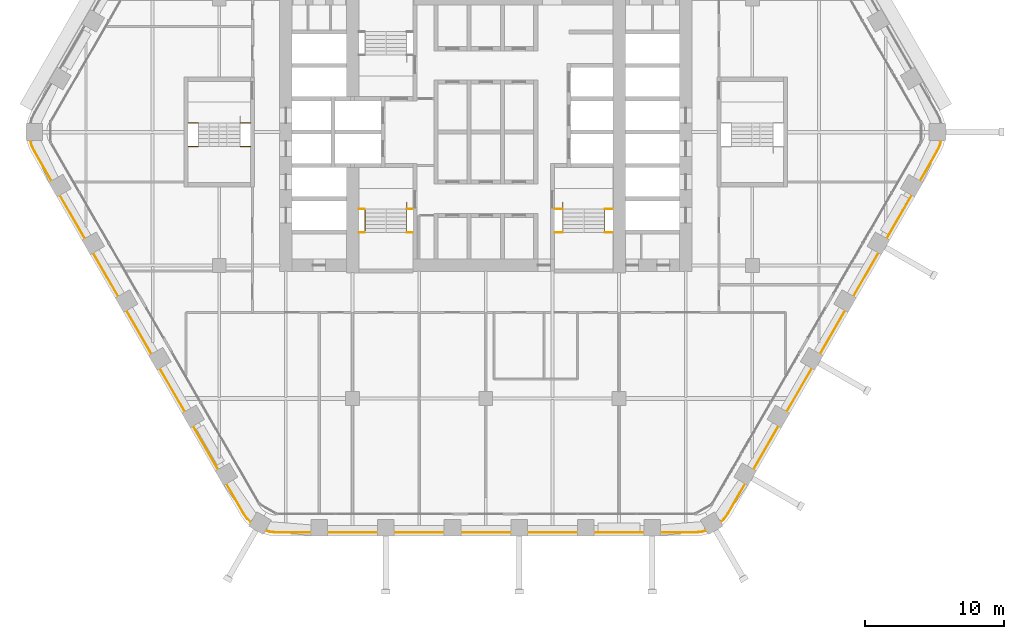
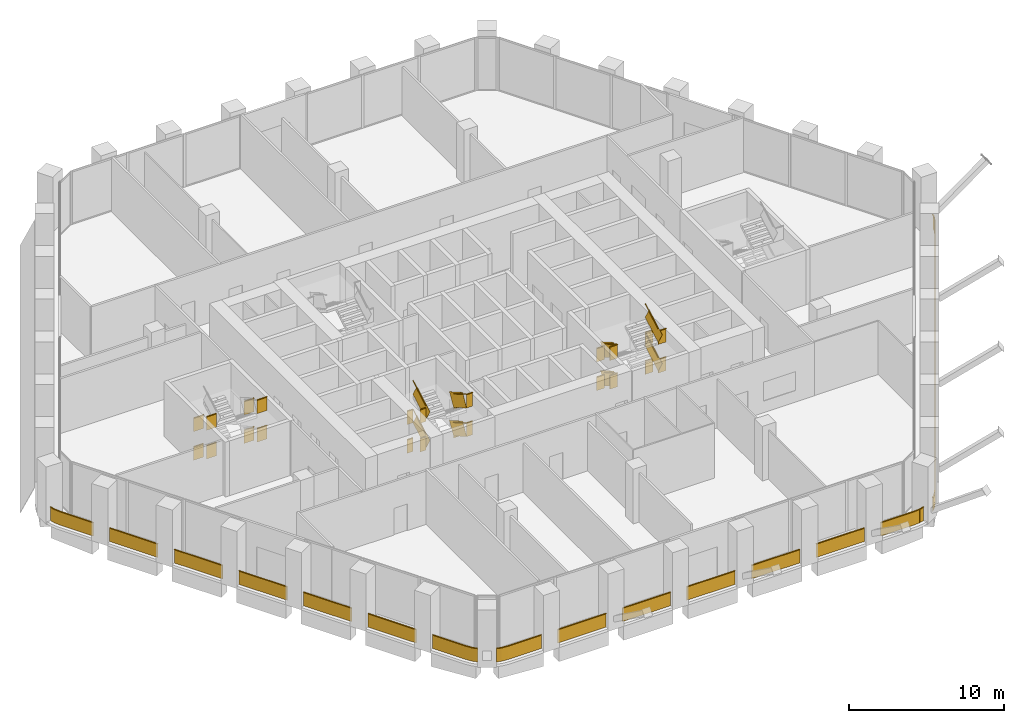
# One storey, part 23 of 24: 8 railings.
"""IFC4 building model written with IfcOpenShell, lengths in metres."""

from ifc_helpers import new_model, si_unit, direction, frame, frame_2d, origin, origin_2d, place, context, subcontext, project, spatial, rectangle, extrude, material, type_object, element, save


model = new_model("IFC4")

# Units and contexts
model_context = context("Model", 3, precision=1e-05, world=origin(), true_north=direction((0.0, 1.0)))
body_context = subcontext(model_context, "Body", "Model", "MODEL_VIEW")
ifc_project = project(units=[si_unit("LENGTHUNIT", "METRE"), si_unit("AREAUNIT", "SQUARE_METRE"), si_unit("VOLUMEUNIT", "CUBIC_METRE"), si_unit("PLANEANGLEUNIT", "RADIAN"), si_unit("MASSUNIT", "GRAM", prefix="KILO")], contexts=[model_context])

# Site, building, storey
site_placement = place(None, origin())
site = spatial("IfcSite", under=ifc_project, at=site_placement, CompositionType="ELEMENT")
building_placement = place(site_placement, origin())
building = spatial("IfcBuilding", under=site, at=building_placement, Name="Kolab Exchange Tower", CompositionType="ELEMENT")
storey_placement = place(building_placement, frame((0.0, 0.0, 86.89990234375)))
storey = spatial("IfcBuildingStorey", under=building, at=storey_placement, Name="L16", CompositionType="ELEMENT", Elevation=86.89990234375)

# Railings
ifc_material_1 = material(Name="Stainless steel 316", Category="steel")
railing_type_1 = type_object("IfcRailingType", Name="GUARD 1100", PredefinedType="GUARDRAIL", material=ifc_material_1)
railing_1_placement = place(storey_placement, frame((-9.14990234375, -5.550048828125, 0.0)))
element("IfcRailing", 1, at=railing_1_placement, inside=storey, type_object=railing_type_1, Name="Guard ST3", PredefinedType="GUARDRAIL", context=body_context, shape_type="SweptSolid", body=[
    extrude(rectangle(XDim=0.05, YDim=0.05, at=origin_2d()), frame((0.0, 0.0, 1.0751953125), z_axis=(1.0, 0.0, 0.0), x_axis=(0.0, 1.0, 0.0)), (0.0, 0.0, 1.0), 0.43994140625),
    extrude(rectangle(XDim=0.012, YDim=1.05009765625, at=frame_2d((0.0, 0.525146484375))), frame((0.0, 0.0, 0.0), z_axis=(1.0, 0.0, 0.0), x_axis=(0.0, 1.0, 0.0)), (0.0, 0.0, 1.0), 0.43994140625),
    extrude(rectangle(XDim=0.05, YDim=0.05, at=origin_2d()), frame((3.4599609375, 0.0, 1.0751953125), z_axis=(1.0, 0.0, 0.0), x_axis=(0.0, 1.0, 0.0)), (0.0, 0.0, 1.0), 0.43994140625),
    extrude(rectangle(XDim=0.012, YDim=1.05009765625, at=frame_2d((0.0, 0.525146484375))), frame((3.4599609375, 0.0, 0.0), z_axis=(1.0, 0.0, 0.0), x_axis=(0.0, 1.0, 0.0)), (0.0, 0.0, 1.0), 0.43994140625),
    extrude(rectangle(XDim=0.05, YDim=0.05, at=origin_2d()), frame((0.0, -1.679931640625, 2.2001953125), z_axis=(1.0, 0.0, 0.0), x_axis=(0.0, 1.0, 0.0)), (0.0, 0.0, 1.0), 0.43994140625),
    extrude(rectangle(XDim=0.012, YDim=1.05009765625, at=frame_2d((0.0, 0.525146484375))), frame((0.0, -1.679931640625, 1.125), z_axis=(1.0, 0.0, 0.0), x_axis=(0.0, 1.0, 0.0)), (0.0, 0.0, 1.0), 0.43994140625),
    extrude(rectangle(XDim=0.05, YDim=0.05, at=origin_2d()), frame((3.4599609375, -1.679931640625, 2.2001953125), z_axis=(1.0, 0.0, 0.0), x_axis=(0.0, 1.0, 0.0)), (0.0, 0.0, 1.0), 0.43994140625),
    extrude(rectangle(XDim=0.012, YDim=1.05009765625, at=frame_2d((0.0, 0.525146484375))), frame((3.4599609375, -1.679931640625, 1.125), z_axis=(1.0, 0.0, 0.0), x_axis=(0.0, 1.0, 0.0)), (0.0, 0.0, 1.0), 0.43994140625),
    extrude(rectangle(XDim=0.05, YDim=0.05, at=origin_2d()), frame((0.0, 0.0, 3.3251953125), z_axis=(1.0, 0.0, 0.0), x_axis=(0.0, 1.0, 0.0)), (0.0, 0.0, 1.0), 0.43994140625),
    extrude(rectangle(XDim=0.012, YDim=1.05009765625, at=frame_2d((0.0, 0.525146484375))), frame((0.0, 0.0, 2.25), z_axis=(1.0, 0.0, 0.0), x_axis=(0.0, 1.0, 0.0)), (0.0, 0.0, 1.0), 0.43994140625),
    extrude(rectangle(XDim=0.05, YDim=0.05, at=origin_2d()), frame((3.4599609375, 0.0, 3.3251953125), z_axis=(1.0, 0.0, 0.0), x_axis=(0.0, 1.0, 0.0)), (0.0, 0.0, 1.0), 0.43994140625),
    extrude(rectangle(XDim=0.012, YDim=1.05009765625, at=frame_2d((0.0, 0.525146484375))), frame((3.4599609375, 0.0, 2.25), z_axis=(1.0, 0.0, 0.0), x_axis=(0.0, 1.0, 0.0)), (0.0, 0.0, 1.0), 0.43994140625),
    extrude(rectangle(XDim=0.05, YDim=0.05, at=origin_2d()), frame((0.0, -1.679931640625, 4.4501953125), z_axis=(1.0, 0.0, 0.0), x_axis=(0.0, 1.0, 0.0)), (0.0, 0.0, 1.0), 0.43994140625),
    extrude(rectangle(XDim=0.012, YDim=1.05009765625, at=frame_2d((0.0, 0.525146484375))), frame((0.0, -1.679931640625, 3.375), z_axis=(1.0, 0.0, 0.0), x_axis=(0.0, 1.0, 0.0)), (0.0, 0.0, 1.0), 0.43994140625),
    extrude(rectangle(XDim=0.05, YDim=0.05, at=origin_2d()), frame((3.4599609375, -1.679931640625, 4.4501953125), z_axis=(1.0, 0.0, 0.0), x_axis=(0.0, 1.0, 0.0)), (0.0, 0.0, 1.0), 0.43994140625),
    extrude(rectangle(XDim=0.012, YDim=1.05009765625, at=frame_2d((0.0, 0.525146484375))), frame((3.4599609375, -1.679931640625, 3.375), z_axis=(1.0, 0.0, 0.0), x_axis=(0.0, 1.0, 0.0)), (0.0, 0.0, 1.0), 0.43994140625),
])
railing_2_placement = place(storey_placement, frame((-5.68994140625, -5.550048828125, 0.160888671875)))
element("IfcRailing", 2, at=railing_2_placement, inside=storey, type_object=railing_type_1, Name="Handrail guard ST3", PredefinedType="GUARDRAIL", context=body_context, shape_type="SweptSolid", body=[
    extrude(rectangle(XDim=0.05, YDim=0.05, at=origin_2d()), frame((0.0, 0.0, 1.0751953125), z_axis=(0.0, -0.867318599139, 0.497753400378), x_axis=(1.0, 0.0, 0.0)), (0.0, 0.0, 1.0), 1.93701171875),
    extrude(rectangle(XDim=0.012, YDim=1.05009765625, at=frame_2d((0.0, 0.525146484375))), frame((0.0, 0.0, 0.0), z_axis=(0.0, -0.867318599139, 0.497753400378), x_axis=(1.0, 0.0, 0.0)), (0.0, 0.0, 1.0), 1.93701171875),
    extrude(rectangle(XDim=0.05, YDim=0.05, at=origin_2d()), frame((-3.02001953125, -1.679931640625, 2.2001953125), z_axis=(0.0, 0.867318599139, 0.497753400378), x_axis=(-1.0, 0.0, 0.0)), (0.0, 0.0, 1.0), 1.93701171875),
    extrude(rectangle(XDim=0.012, YDim=1.05009765625, at=frame_2d((0.0, 0.525146484375))), frame((-3.02001953125, -1.679931640625, 1.125), z_axis=(0.0, 0.867318599139, 0.497753400378), x_axis=(-1.0, 0.0, 0.0)), (0.0, 0.0, 1.0), 1.93701171875),
    extrude(rectangle(XDim=0.05, YDim=0.05, at=origin_2d()), frame((0.0, 0.0, 3.3251953125), z_axis=(0.0, -0.867318599139, 0.497753400378), x_axis=(1.0, 0.0, 0.0)), (0.0, 0.0, 1.0), 1.93701171875),
    extrude(rectangle(XDim=0.012, YDim=1.05009765625, at=frame_2d((0.0, 0.525146484375))), frame((0.0, 0.0, 2.25), z_axis=(0.0, -0.867318599139, 0.497753400378), x_axis=(1.0, 0.0, 0.0)), (0.0, 0.0, 1.0), 1.93701171875),
    extrude(rectangle(XDim=0.05, YDim=0.05, at=origin_2d()), frame((-3.02001953125, -1.679931640625, 4.4501953125), z_axis=(0.0, 0.867318599139, 0.497753400378), x_axis=(-1.0, 0.0, 0.0)), (0.0, 0.0, 1.0), 1.93701171875),
    extrude(rectangle(XDim=0.012, YDim=1.05009765625, at=frame_2d((0.0, 0.525146484375))), frame((-3.02001953125, -1.679931640625, 3.375), z_axis=(0.0, 0.867318599139, 0.497753400378), x_axis=(-1.0, 0.0, 0.0)), (0.0, 0.0, 1.0), 1.93701171875),
])
railing_3_placement = place(storey_placement, frame((4.949951171875, -5.550048828125, 0.0)))
element("IfcRailing", 3, at=railing_3_placement, inside=storey, type_object=railing_type_1, Name="Guard ST2", PredefinedType="GUARDRAIL", context=body_context, shape_type="SweptSolid", body=[
    extrude(rectangle(XDim=0.05, YDim=0.05, at=origin_2d()), frame((0.0, 0.0, 1.0751953125), z_axis=(1.0, 0.0, 0.0), x_axis=(0.0, 1.0, 0.0)), (0.0, 0.0, 1.0), 0.590087890625),
    extrude(rectangle(XDim=0.012, YDim=1.05009765625, at=frame_2d((0.0, 0.525146484375))), frame((0.0, 0.0, 0.0), z_axis=(1.0, 0.0, 0.0), x_axis=(0.0, 1.0, 0.0)), (0.0, 0.0, 1.0), 0.590087890625),
    extrude(rectangle(XDim=0.05, YDim=0.05, at=origin_2d()), frame((3.610107421875, 0.0, 1.0751953125), z_axis=(1.0, 0.0, 0.0), x_axis=(0.0, 1.0, 0.0)), (0.0, 0.0, 1.0), 0.58984375),
    extrude(rectangle(XDim=0.012, YDim=1.05009765625, at=frame_2d((0.0, 0.525146484375))), frame((3.610107421875, 0.0, 0.0), z_axis=(1.0, 0.0, 0.0), x_axis=(0.0, 1.0, 0.0)), (0.0, 0.0, 1.0), 0.58984375),
    extrude(rectangle(XDim=0.05, YDim=0.05, at=origin_2d()), frame((0.0, -1.679931640625, 2.2001953125), z_axis=(1.0, 0.0, 0.0), x_axis=(0.0, 1.0, 0.0)), (0.0, 0.0, 1.0), 0.590087890625),
    extrude(rectangle(XDim=0.012, YDim=1.05009765625, at=frame_2d((0.0, 0.525146484375))), frame((0.0, -1.679931640625, 1.125), z_axis=(1.0, 0.0, 0.0), x_axis=(0.0, 1.0, 0.0)), (0.0, 0.0, 1.0), 0.590087890625),
    extrude(rectangle(XDim=0.05, YDim=0.05, at=origin_2d()), frame((3.610107421875, -1.679931640625, 2.2001953125), z_axis=(1.0, 0.0, 0.0), x_axis=(0.0, 1.0, 0.0)), (0.0, 0.0, 1.0), 0.58984375),
    extrude(rectangle(XDim=0.012, YDim=1.05009765625, at=frame_2d((0.0, 0.525146484375))), frame((3.610107421875, -1.679931640625, 1.125), z_axis=(1.0, 0.0, 0.0), x_axis=(0.0, 1.0, 0.0)), (0.0, 0.0, 1.0), 0.58984375),
    extrude(rectangle(XDim=0.05, YDim=0.05, at=origin_2d()), frame((0.0, 0.0, 3.3251953125), z_axis=(1.0, 0.0, 0.0), x_axis=(0.0, 1.0, 0.0)), (0.0, 0.0, 1.0), 0.590087890625),
    extrude(rectangle(XDim=0.012, YDim=1.05009765625, at=frame_2d((0.0, 0.525146484375))), frame((0.0, 0.0, 2.25), z_axis=(1.0, 0.0, 0.0), x_axis=(0.0, 1.0, 0.0)), (0.0, 0.0, 1.0), 0.590087890625),
    extrude(rectangle(XDim=0.05, YDim=0.05, at=origin_2d()), frame((3.610107421875, 0.0, 3.3251953125), z_axis=(1.0, 0.0, 0.0), x_axis=(0.0, 1.0, 0.0)), (0.0, 0.0, 1.0), 0.58984375),
    extrude(rectangle(XDim=0.012, YDim=1.05009765625, at=frame_2d((0.0, 0.525146484375))), frame((3.610107421875, 0.0, 2.25), z_axis=(1.0, 0.0, 0.0), x_axis=(0.0, 1.0, 0.0)), (0.0, 0.0, 1.0), 0.58984375),
    extrude(rectangle(XDim=0.05, YDim=0.05, at=origin_2d()), frame((0.0, -1.679931640625, 4.4501953125), z_axis=(1.0, 0.0, 0.0), x_axis=(0.0, 1.0, 0.0)), (0.0, 0.0, 1.0), 0.590087890625),
    extrude(rectangle(XDim=0.012, YDim=1.05009765625, at=frame_2d((0.0, 0.525146484375))), frame((0.0, -1.679931640625, 3.375), z_axis=(1.0, 0.0, 0.0), x_axis=(0.0, 1.0, 0.0)), (0.0, 0.0, 1.0), 0.590087890625),
    extrude(rectangle(XDim=0.05, YDim=0.05, at=origin_2d()), frame((3.610107421875, -1.679931640625, 4.4501953125), z_axis=(1.0, 0.0, 0.0), x_axis=(0.0, 1.0, 0.0)), (0.0, 0.0, 1.0), 0.58984375),
    extrude(rectangle(XDim=0.012, YDim=1.05009765625, at=frame_2d((0.0, 0.525146484375))), frame((3.610107421875, -1.679931640625, 3.375), z_axis=(1.0, 0.0, 0.0), x_axis=(0.0, 1.0, 0.0)), (0.0, 0.0, 1.0), 0.58984375),
])
railing_4_placement = place(storey_placement, frame((5.5400390625, -5.550048828125, 0.160888671875)))
element("IfcRailing", 4, at=railing_4_placement, inside=storey, type_object=railing_type_1, Name="Handrail guard ST2", PredefinedType="GUARDRAIL", context=body_context, shape_type="SweptSolid", body=[
    extrude(rectangle(XDim=0.05, YDim=0.05, at=origin_2d()), frame((0.0, 0.0, 1.0751953125), z_axis=(0.0, -0.867318599139, 0.497753400378), x_axis=(1.0, 0.0, 0.0)), (0.0, 0.0, 1.0), 1.93701171875),
    extrude(rectangle(XDim=0.012, YDim=1.05009765625, at=frame_2d((0.0, 0.525146484375))), frame((0.0, 0.0, 0.0), z_axis=(0.0, -0.867318599139, 0.497753400378), x_axis=(1.0, 0.0, 0.0)), (0.0, 0.0, 1.0), 1.93701171875),
    extrude(rectangle(XDim=0.05, YDim=0.05, at=origin_2d()), frame((3.02001953125, -1.679931640625, 2.2001953125), z_axis=(0.0, 0.867318599139, 0.497753400378), x_axis=(-1.0, 0.0, 0.0)), (0.0, 0.0, 1.0), 1.93701171875),
    extrude(rectangle(XDim=0.012, YDim=1.05009765625, at=frame_2d((0.0, 0.525146484375))), frame((3.02001953125, -1.679931640625, 1.125), z_axis=(0.0, 0.867318599139, 0.497753400378), x_axis=(-1.0, 0.0, 0.0)), (0.0, 0.0, 1.0), 1.93701171875),
    extrude(rectangle(XDim=0.05, YDim=0.05, at=origin_2d()), frame((0.0, 0.0, 3.3251953125), z_axis=(0.0, -0.867318599139, 0.497753400378), x_axis=(1.0, 0.0, 0.0)), (0.0, 0.0, 1.0), 1.93701171875),
    extrude(rectangle(XDim=0.012, YDim=1.05009765625, at=frame_2d((0.0, 0.525146484375))), frame((0.0, 0.0, 2.25), z_axis=(0.0, -0.867318599139, 0.497753400378), x_axis=(1.0, 0.0, 0.0)), (0.0, 0.0, 1.0), 1.93701171875),
    extrude(rectangle(XDim=0.05, YDim=0.05, at=origin_2d()), frame((3.02001953125, -1.679931640625, 4.4501953125), z_axis=(0.0, 0.867318599139, 0.497753400378), x_axis=(-1.0, 0.0, 0.0)), (0.0, 0.0, 1.0), 1.93701171875),
    extrude(rectangle(XDim=0.012, YDim=1.05009765625, at=frame_2d((0.0, 0.525146484375))), frame((3.02001953125, -1.679931640625, 3.375), z_axis=(0.0, 0.867318599139, 0.497753400378), x_axis=(-1.0, 0.0, 0.0)), (0.0, 0.0, 1.0), 1.93701171875),
])
railing_5_placement = place(storey_placement, frame((-21.449951171875, 0.64990234375, 0.0)))
element("IfcRailing", 5, at=railing_5_placement, inside=storey, type_object=railing_type_1, Name="Guard ST5", PredefinedType="GUARDRAIL", context=body_context, shape_type="SweptSolid", body=[
    extrude(rectangle(XDim=0.05, YDim=0.05, at=origin_2d()), frame((0.0, 0.0, 1.0751953125), z_axis=(1.0, 0.0, 0.0), x_axis=(0.0, 1.0, 0.0)), (0.0, 0.0, 1.0), 0.739990234375),
    extrude(rectangle(XDim=0.012, YDim=1.05009765625, at=frame_2d((0.0, 0.525146484375))), frame((0.0, 0.0, 0.0), z_axis=(1.0, 0.0, 0.0), x_axis=(0.0, 1.0, 0.0)), (0.0, 0.0, 1.0), 0.739990234375),
    extrude(rectangle(XDim=0.05, YDim=0.05, at=origin_2d()), frame((3.760009765625, 0.0, 1.0751953125), z_axis=(1.0, 0.0, 0.0), x_axis=(0.0, 1.0, 0.0)), (0.0, 0.0, 1.0), 0.739990234375),
    extrude(rectangle(XDim=0.012, YDim=1.05009765625, at=frame_2d((0.0, 0.525146484375))), frame((3.760009765625, 0.0, 0.0), z_axis=(1.0, 0.0, 0.0), x_axis=(0.0, 1.0, 0.0)), (0.0, 0.0, 1.0), 0.739990234375),
    extrude(rectangle(XDim=0.05, YDim=0.05, at=origin_2d()), frame((0.0, -1.679931640625, 2.2001953125), z_axis=(1.0, 0.0, 0.0), x_axis=(0.0, 1.0, 0.0)), (0.0, 0.0, 1.0), 0.739990234375),
    extrude(rectangle(XDim=0.012, YDim=1.05009765625, at=frame_2d((0.0, 0.525146484375))), frame((0.0, -1.679931640625, 1.125), z_axis=(1.0, 0.0, 0.0), x_axis=(0.0, 1.0, 0.0)), (0.0, 0.0, 1.0), 0.739990234375),
    extrude(rectangle(XDim=0.05, YDim=0.05, at=origin_2d()), frame((3.760009765625, -1.679931640625, 2.2001953125), z_axis=(1.0, 0.0, 0.0), x_axis=(0.0, 1.0, 0.0)), (0.0, 0.0, 1.0), 0.739990234375),
    extrude(rectangle(XDim=0.012, YDim=1.05009765625, at=frame_2d((0.0, 0.525146484375))), frame((3.760009765625, -1.679931640625, 1.125), z_axis=(1.0, 0.0, 0.0), x_axis=(0.0, 1.0, 0.0)), (0.0, 0.0, 1.0), 0.739990234375),
    extrude(rectangle(XDim=0.05, YDim=0.05, at=origin_2d()), frame((0.0, 0.0, 3.3251953125), z_axis=(1.0, 0.0, 0.0), x_axis=(0.0, 1.0, 0.0)), (0.0, 0.0, 1.0), 0.739990234375),
    extrude(rectangle(XDim=0.012, YDim=1.05009765625, at=frame_2d((0.0, 0.525146484375))), frame((0.0, 0.0, 2.25), z_axis=(1.0, 0.0, 0.0), x_axis=(0.0, 1.0, 0.0)), (0.0, 0.0, 1.0), 0.739990234375),
    extrude(rectangle(XDim=0.05, YDim=0.05, at=origin_2d()), frame((3.760009765625, 0.0, 3.3251953125), z_axis=(1.0, 0.0, 0.0), x_axis=(0.0, 1.0, 0.0)), (0.0, 0.0, 1.0), 0.739990234375),
    extrude(rectangle(XDim=0.012, YDim=1.05009765625, at=frame_2d((0.0, 0.525146484375))), frame((3.760009765625, 0.0, 2.25), z_axis=(1.0, 0.0, 0.0), x_axis=(0.0, 1.0, 0.0)), (0.0, 0.0, 1.0), 0.739990234375),
    extrude(rectangle(XDim=0.05, YDim=0.05, at=origin_2d()), frame((0.0, -1.679931640625, 4.4501953125), z_axis=(1.0, 0.0, 0.0), x_axis=(0.0, 1.0, 0.0)), (0.0, 0.0, 1.0), 0.739990234375),
    extrude(rectangle(XDim=0.012, YDim=1.05009765625, at=frame_2d((0.0, 0.525146484375))), frame((0.0, -1.679931640625, 3.375), z_axis=(1.0, 0.0, 0.0), x_axis=(0.0, 1.0, 0.0)), (0.0, 0.0, 1.0), 0.739990234375),
    extrude(rectangle(XDim=0.05, YDim=0.05, at=origin_2d()), frame((3.760009765625, -1.679931640625, 4.4501953125), z_axis=(1.0, 0.0, 0.0), x_axis=(0.0, 1.0, 0.0)), (0.0, 0.0, 1.0), 0.739990234375),
    extrude(rectangle(XDim=0.012, YDim=1.05009765625, at=frame_2d((0.0, 0.525146484375))), frame((3.760009765625, -1.679931640625, 3.375), z_axis=(1.0, 0.0, 0.0), x_axis=(0.0, 1.0, 0.0)), (0.0, 0.0, 1.0), 0.739990234375),
])
ifc_material_2 = material(Name="Steel S235", Category="steel")
railing_type_2 = type_object("IfcRailingType", Name="GUARD 1100 GLASS BALUSTRADE AND STEEL TOP RAIL", PredefinedType="GUARDRAIL", material=ifc_material_2)
railing_6_placement = place(storey_placement, frame((16.9208984375, -28.119873046875, 0.0)))
element("IfcRailing", 6, at=railing_6_placement, inside=storey, type_object=railing_type_2, Name="Guard", PredefinedType="GUARDRAIL", context=body_context, shape_type="SweptSolid", body=[
    extrude(rectangle(XDim=0.05, YDim=0.05, at=origin_2d()), frame((0.0, 0.0, 1.0751953125), z_axis=(0.707106781187, 0.707106781187, 0.0), x_axis=(-0.707106781187, 0.707106781187, 0.0)), (0.0, 0.0, 1.0), 0.358642578125),
    extrude(rectangle(XDim=0.012, YDim=1.05009765625, at=frame_2d((0.0, 0.525146484375))), frame((0.0, 0.0, 0.0), z_axis=(0.707106781187, 0.707106781187, 0.0), x_axis=(-0.707106781187, 0.707106781187, 0.0)), (0.0, 0.0, 1.0), 0.358642578125),
    extrude(rectangle(XDim=0.05, YDim=0.05, at=origin_2d()), frame((0.253662109375, 0.253662109375, 1.0751953125), z_axis=(0.573359816273, 0.819303680624, 0.0), x_axis=(-0.819303680624, 0.573359816273, 0.0)), (0.0, 0.0, 1.0), 0.4794921875),
    extrude(rectangle(XDim=0.012, YDim=1.05009765625, at=frame_2d((0.0, 0.525146484375))), frame((0.253662109375, 0.253662109375, 0.0), z_axis=(0.573359816273, 0.819303680624, 0.0), x_axis=(-0.819303680624, 0.573359816273, 0.0)), (0.0, 0.0, 1.0), 0.4794921875),
    extrude(rectangle(XDim=0.05, YDim=0.05, at=origin_2d()), frame((0.528564453125, 0.646484375, 1.0751953125), z_axis=(0.500064973171, 0.865987888257, 0.0), x_axis=(-0.865987888257, 0.500064973171, 0.0)), (0.0, 0.0, 1.0), 2.468017578125),
    extrude(rectangle(XDim=0.012, YDim=1.05009765625, at=frame_2d((0.0, 0.525146484375))), frame((0.528564453125, 0.646484375, 0.0), z_axis=(0.500064973171, 0.865987888257, 0.0), x_axis=(-0.865987888257, 0.500064973171, 0.0)), (0.0, 0.0, 1.0), 2.468017578125),
    extrude(rectangle(XDim=0.05, YDim=0.05, at=origin_2d()), frame((2.362548828125, 3.822998046875, 1.0751953125), z_axis=(0.500012057535, 0.866018442252, 0.0), x_axis=(-0.866018442252, 0.500012057535, 0.0)), (0.0, 0.0, 1.0), 3.60009765625),
    extrude(rectangle(XDim=0.012, YDim=1.05009765625, at=frame_2d((0.0, 0.525146484375))), frame((2.362548828125, 3.822998046875, 0.0), z_axis=(0.500012057535, 0.866018442252, 0.0), x_axis=(-0.866018442252, 0.500012057535, 0.0)), (0.0, 0.0, 1.0), 3.60009765625),
    extrude(rectangle(XDim=0.05, YDim=0.05, at=origin_2d()), frame((4.7626953125, 7.97998046875, 1.0751953125), z_axis=(0.499961193289, 0.866047807691, 0.0), x_axis=(-0.866047807691, 0.499961193289, 0.0)), (0.0, 0.0, 1.0), 3.599853515625),
    extrude(rectangle(XDim=0.012, YDim=1.05009765625, at=frame_2d((0.0, 0.525146484375))), frame((4.7626953125, 7.97998046875, 0.0), z_axis=(0.499961193289, 0.866047807691, 0.0), x_axis=(-0.866047807691, 0.499961193289, 0.0)), (0.0, 0.0, 1.0), 3.599853515625),
    extrude(rectangle(XDim=0.05, YDim=0.05, at=origin_2d()), frame((7.16259765625, 12.13671875, 1.0751953125), z_axis=(0.500012057535, 0.866018442252, 0.0), x_axis=(-0.866018442252, 0.500012057535, 0.0)), (0.0, 0.0, 1.0), 3.60009765625),
    extrude(rectangle(XDim=0.012, YDim=1.05009765625, at=frame_2d((0.0, 0.525146484375))), frame((7.16259765625, 12.13671875, 0.0), z_axis=(0.500012057535, 0.866018442252, 0.0), x_axis=(-0.866018442252, 0.500012057535, 0.0)), (0.0, 0.0, 1.0), 3.60009765625),
    extrude(rectangle(XDim=0.05, YDim=0.05, at=origin_2d()), frame((9.5625, 16.293701171875, 1.0751953125), z_axis=(0.500012057535, 0.866018442252, 0.0), x_axis=(-0.866018442252, 0.500012057535, 0.0)), (0.0, 0.0, 1.0), 3.60009765625),
    extrude(rectangle(XDim=0.012, YDim=1.05009765625, at=frame_2d((0.0, 0.525146484375))), frame((9.5625, 16.293701171875, 0.0), z_axis=(0.500012057535, 0.866018442252, 0.0), x_axis=(-0.866018442252, 0.500012057535, 0.0)), (0.0, 0.0, 1.0), 3.60009765625),
    extrude(rectangle(XDim=0.05, YDim=0.05, at=origin_2d()), frame((11.962646484375, 20.45068359375, 1.0751953125), z_axis=(0.500012057535, 0.866018442252, 0.0), x_axis=(-0.866018442252, 0.500012057535, 0.0)), (0.0, 0.0, 1.0), 3.60009765625),
    extrude(rectangle(XDim=0.012, YDim=1.05009765625, at=frame_2d((0.0, 0.525146484375))), frame((11.962646484375, 20.45068359375, 0.0), z_axis=(0.500012057535, 0.866018442252, 0.0), x_axis=(-0.866018442252, 0.500012057535, 0.0)), (0.0, 0.0, 1.0), 3.60009765625),
    extrude(rectangle(XDim=0.05, YDim=0.05, at=origin_2d()), frame((14.362548828125, 24.607666015625, 1.0751953125), z_axis=(0.500064973171, 0.865987888257, 0.0), x_axis=(-0.865987888257, 0.500064973171, 0.0)), (0.0, 0.0, 1.0), 2.468017578125),
    extrude(rectangle(XDim=0.012, YDim=1.05009765625, at=frame_2d((0.0, 0.525146484375))), frame((14.362548828125, 24.607666015625, 0.0), z_axis=(0.500064973171, 0.865987888257, 0.0), x_axis=(-0.865987888257, 0.500064973171, 0.0)), (0.0, 0.0, 1.0), 2.468017578125),
    extrude(rectangle(XDim=0.05, YDim=0.05, at=origin_2d()), frame((15.5966796875, 26.744873046875, 1.0751953125), z_axis=(0.422383329074, 0.906417300872, 0.0), x_axis=(-0.906417300872, 0.422383329074, 0.0)), (0.0, 0.0, 1.0), 0.479248046875),
    extrude(rectangle(XDim=0.012, YDim=1.05009765625, at=frame_2d((0.0, 0.525146484375))), frame((15.5966796875, 26.744873046875, 0.0), z_axis=(0.422383329074, 0.906417300872, 0.0), x_axis=(-0.906417300872, 0.422383329074, 0.0)), (0.0, 0.0, 1.0), 0.479248046875),
    extrude(rectangle(XDim=0.05, YDim=0.05, at=origin_2d()), frame((15.799072265625, 27.17919921875, 1.0751953125), z_axis=(0.259144041577, 0.965838685141, 0.0), x_axis=(-0.965838685141, 0.259144041577, 0.0)), (0.0, 0.0, 1.0), 0.35888671875),
    extrude(rectangle(XDim=0.012, YDim=1.05009765625, at=frame_2d((0.0, 0.525146484375))), frame((15.799072265625, 27.17919921875, 0.0), z_axis=(0.259144041577, 0.965838685141, 0.0), x_axis=(-0.965838685141, 0.259144041577, 0.0)), (0.0, 0.0, 1.0), 0.35888671875),
])
railing_7_placement = place(storey_placement, frame((-15.89208984375, -28.7138671875, 0.0)))
element("IfcRailing", 7, at=railing_7_placement, inside=storey, type_object=railing_type_2, Name="Guard", PredefinedType="GUARDRAIL", context=body_context, shape_type="SweptSolid", body=[
    extrude(rectangle(XDim=0.05, YDim=0.05, at=origin_2d()), frame((0.0, 0.0, 1.0751953125), z_axis=(0.966008746817, -0.258509382951, 0.0), x_axis=(0.258509382951, 0.966008746817, 0.0)), (0.0, 0.0, 1.0), 0.35888671875),
    extrude(rectangle(XDim=0.012, YDim=1.05009765625, at=frame_2d((0.0, 0.525146484375))), frame((0.0, 0.0, 0.0), z_axis=(0.966008746817, -0.258509382951, 0.0), x_axis=(0.258509382951, 0.966008746817, 0.0)), (0.0, 0.0, 1.0), 0.35888671875),
    extrude(rectangle(XDim=0.05, YDim=0.05, at=origin_2d()), frame((0.3466796875, -0.0927734375, 1.0751953125), z_axis=(0.996200348447, -0.087091134757, 0.0), x_axis=(0.087091134757, 0.996200348447, 0.0)), (0.0, 0.0, 1.0), 0.479248046875),
    extrude(rectangle(XDim=0.012, YDim=1.05009765625, at=frame_2d((0.0, 0.525146484375))), frame((0.3466796875, -0.0927734375, 0.0), z_axis=(0.996200348447, -0.087091134757, 0.0), x_axis=(0.087091134757, 0.996200348447, 0.0)), (0.0, 0.0, 1.0), 0.479248046875),
    extrude(rectangle(XDim=0.05, YDim=0.05, at=origin_2d()), frame((0.82421875, -0.134521484375, 1.0751953125), z_axis=(1.0, 0.0, 0.0), x_axis=(0.0, 1.0, 0.0)), (0.0, 0.0, 1.0), 2.4677734375),
    extrude(rectangle(XDim=0.012, YDim=1.05009765625, at=frame_2d((0.0, 0.525146484375))), frame((0.82421875, -0.134521484375, 0.0), z_axis=(1.0, 0.0, 0.0), x_axis=(0.0, 1.0, 0.0)), (0.0, 0.0, 1.0), 2.4677734375),
    extrude(rectangle(XDim=0.05, YDim=0.05, at=origin_2d()), frame((4.4921875, -0.134521484375, 1.0751953125), z_axis=(1.0, 0.0, 0.0), x_axis=(0.0, 1.0, 0.0)), (0.0, 0.0, 1.0), 3.599853515625),
    extrude(rectangle(XDim=0.012, YDim=1.05009765625, at=frame_2d((0.0, 0.525146484375))), frame((4.4921875, -0.134521484375, 0.0), z_axis=(1.0, 0.0, 0.0), x_axis=(0.0, 1.0, 0.0)), (0.0, 0.0, 1.0), 3.599853515625),
    extrude(rectangle(XDim=0.05, YDim=0.05, at=origin_2d()), frame((9.2919921875, -0.134521484375, 1.0751953125), z_axis=(1.0, 0.0, 0.0), x_axis=(0.0, 1.0, 0.0)), (0.0, 0.0, 1.0), 3.60009765625),
    extrude(rectangle(XDim=0.012, YDim=1.05009765625, at=frame_2d((0.0, 0.525146484375))), frame((9.2919921875, -0.134521484375, 0.0), z_axis=(1.0, 0.0, 0.0), x_axis=(0.0, 1.0, 0.0)), (0.0, 0.0, 1.0), 3.60009765625),
    extrude(rectangle(XDim=0.05, YDim=0.05, at=origin_2d()), frame((14.092041015625, -0.134521484375, 1.0751953125), z_axis=(1.0, 0.0, 0.0), x_axis=(0.0, 1.0, 0.0)), (0.0, 0.0, 1.0), 3.60009765625),
    extrude(rectangle(XDim=0.012, YDim=1.05009765625, at=frame_2d((0.0, 0.525146484375))), frame((14.092041015625, -0.134521484375, 0.0), z_axis=(1.0, 0.0, 0.0), x_axis=(0.0, 1.0, 0.0)), (0.0, 0.0, 1.0), 3.60009765625),
    extrude(rectangle(XDim=0.05, YDim=0.05, at=origin_2d()), frame((18.89208984375, -0.134521484375, 1.0751953125), z_axis=(1.0, 0.0, 0.0), x_axis=(0.0, 1.0, 0.0)), (0.0, 0.0, 1.0), 3.60009765625),
    extrude(rectangle(XDim=0.012, YDim=1.05009765625, at=frame_2d((0.0, 0.525146484375))), frame((18.89208984375, -0.134521484375, 0.0), z_axis=(1.0, 0.0, 0.0), x_axis=(0.0, 1.0, 0.0)), (0.0, 0.0, 1.0), 3.60009765625),
    extrude(rectangle(XDim=0.05, YDim=0.05, at=origin_2d()), frame((23.692138671875, -0.134521484375, 1.0751953125), z_axis=(1.0, 0.0, 0.0), x_axis=(0.0, 1.0, 0.0)), (0.0, 0.0, 1.0), 3.599853515625),
    extrude(rectangle(XDim=0.012, YDim=1.05009765625, at=frame_2d((0.0, 0.525146484375))), frame((23.692138671875, -0.134521484375, 0.0), z_axis=(1.0, 0.0, 0.0), x_axis=(0.0, 1.0, 0.0)), (0.0, 0.0, 1.0), 3.599853515625),
    extrude(rectangle(XDim=0.05, YDim=0.05, at=origin_2d()), frame((28.4921875, -0.134521484375, 1.0751953125), z_axis=(1.0, 0.0, 0.0), x_axis=(0.0, 1.0, 0.0)), (0.0, 0.0, 1.0), 2.4677734375),
    extrude(rectangle(XDim=0.012, YDim=1.05009765625, at=frame_2d((0.0, 0.525146484375))), frame((28.4921875, -0.134521484375, 0.0), z_axis=(1.0, 0.0, 0.0), x_axis=(0.0, 1.0, 0.0)), (0.0, 0.0, 1.0), 2.4677734375),
    extrude(rectangle(XDim=0.05, YDim=0.05, at=origin_2d()), frame((30.9599609375, -0.134521484375, 1.0751953125), z_axis=(0.996200348447, 0.087091134757, 0.0), x_axis=(-0.087091134757, 0.996200348447, 0.0)), (0.0, 0.0, 1.0), 0.479248046875),
    extrude(rectangle(XDim=0.012, YDim=1.05009765625, at=frame_2d((0.0, 0.525146484375))), frame((30.9599609375, -0.134521484375, 0.0), z_axis=(0.996200348447, 0.087091134757, 0.0), x_axis=(-0.087091134757, 0.996200348447, 0.0)), (0.0, 0.0, 1.0), 0.479248046875),
    extrude(rectangle(XDim=0.05, YDim=0.05, at=origin_2d()), frame((31.4375, -0.0927734375, 1.0751953125), z_axis=(0.966008746817, 0.258509382951, 0.0), x_axis=(-0.258509382951, 0.966008746817, 0.0)), (0.0, 0.0, 1.0), 0.35888671875),
    extrude(rectangle(XDim=0.012, YDim=1.05009765625, at=frame_2d((0.0, 0.525146484375))), frame((31.4375, -0.0927734375, 0.0), z_axis=(0.966008746817, 0.258509382951, 0.0), x_axis=(-0.258509382951, 0.966008746817, 0.0)), (0.0, 0.0, 1.0), 0.35888671875),
])
railing_8_placement = place(storey_placement, frame((-32.81298828125, -0.593994140625, 0.0)))
element("IfcRailing", 8, at=railing_8_placement, inside=storey, type_object=railing_type_2, Name="Guard", PredefinedType="GUARDRAIL", context=body_context, shape_type="SweptSolid", body=[
    extrude(rectangle(XDim=0.05, YDim=0.05, at=origin_2d()), frame((0.0, 0.0, 1.0751953125), z_axis=(0.259144041577, -0.965838685141, 0.0), x_axis=(0.965838685141, 0.259144041577, 0.0)), (0.0, 0.0, 1.0), 0.35888671875),
    extrude(rectangle(XDim=0.012, YDim=1.05009765625, at=frame_2d((0.0, 0.525146484375))), frame((0.0, 0.0, 0.0), z_axis=(0.259144041577, -0.965838685141, 0.0), x_axis=(0.965838685141, 0.259144041577, 0.0)), (0.0, 0.0, 1.0), 0.35888671875),
    extrude(rectangle(XDim=0.05, YDim=0.05, at=origin_2d()), frame((0.093017578125, -0.3466796875, 1.0751953125), z_axis=(0.422383329074, -0.906417300872, 0.0), x_axis=(0.906417300872, 0.422383329074, 0.0)), (0.0, 0.0, 1.0), 0.479248046875),
    extrude(rectangle(XDim=0.012, YDim=1.05009765625, at=frame_2d((0.0, 0.525146484375))), frame((0.093017578125, -0.3466796875, 0.0), z_axis=(0.422383329074, -0.906417300872, 0.0), x_axis=(0.906417300872, 0.422383329074, 0.0)), (0.0, 0.0, 1.0), 0.479248046875),
    extrude(rectangle(XDim=0.05, YDim=0.05, at=origin_2d()), frame((0.29541015625, -0.781005859375, 1.0751953125), z_axis=(0.500064973171, -0.865987888257, 0.0), x_axis=(0.865987888257, 0.500064973171, 0.0)), (0.0, 0.0, 1.0), 2.468017578125),
    extrude(rectangle(XDim=0.012, YDim=1.05009765625, at=frame_2d((0.0, 0.525146484375))), frame((0.29541015625, -0.781005859375, 0.0), z_axis=(0.500064973171, -0.865987888257, 0.0), x_axis=(0.865987888257, 0.500064973171, 0.0)), (0.0, 0.0, 1.0), 2.468017578125),
    extrude(rectangle(XDim=0.05, YDim=0.05, at=origin_2d()), frame((2.12939453125, -3.95751953125, 1.0751953125), z_axis=(0.500012057535, -0.866018442252, 0.0), x_axis=(0.866018442252, 0.500012057535, 0.0)), (0.0, 0.0, 1.0), 3.60009765625),
    extrude(rectangle(XDim=0.012, YDim=1.05009765625, at=frame_2d((0.0, 0.525146484375))), frame((2.12939453125, -3.95751953125, 0.0), z_axis=(0.500012057535, -0.866018442252, 0.0), x_axis=(0.866018442252, 0.500012057535, 0.0)), (0.0, 0.0, 1.0), 3.60009765625),
    extrude(rectangle(XDim=0.05, YDim=0.05, at=origin_2d()), frame((4.529541015625, -8.114501953125, 1.0751953125), z_axis=(0.500012057535, -0.866018442252, 0.0), x_axis=(0.866018442252, 0.500012057535, 0.0)), (0.0, 0.0, 1.0), 3.60009765625),
    extrude(rectangle(XDim=0.012, YDim=1.05009765625, at=frame_2d((0.0, 0.525146484375))), frame((4.529541015625, -8.114501953125, 0.0), z_axis=(0.500012057535, -0.866018442252, 0.0), x_axis=(0.866018442252, 0.500012057535, 0.0)), (0.0, 0.0, 1.0), 3.60009765625),
    extrude(rectangle(XDim=0.05, YDim=0.05, at=origin_2d()), frame((6.929443359375, -12.271484375, 1.0751953125), z_axis=(0.500012057535, -0.866018442252, 0.0), x_axis=(0.866018442252, 0.500012057535, 0.0)), (0.0, 0.0, 1.0), 3.60009765625),
    extrude(rectangle(XDim=0.012, YDim=1.05009765625, at=frame_2d((0.0, 0.525146484375))), frame((6.929443359375, -12.271484375, 0.0), z_axis=(0.500012057535, -0.866018442252, 0.0), x_axis=(0.866018442252, 0.500012057535, 0.0)), (0.0, 0.0, 1.0), 3.60009765625),
    extrude(rectangle(XDim=0.05, YDim=0.05, at=origin_2d()), frame((9.32958984375, -16.42822265625, 1.0751953125), z_axis=(0.499961193289, -0.866047807691, 0.0), x_axis=(0.866047807691, 0.499961193289, 0.0)), (0.0, 0.0, 1.0), 3.599853515625),
    extrude(rectangle(XDim=0.012, YDim=1.05009765625, at=frame_2d((0.0, 0.525146484375))), frame((9.32958984375, -16.42822265625, 0.0), z_axis=(0.499961193289, -0.866047807691, 0.0), x_axis=(0.866047807691, 0.499961193289, 0.0)), (0.0, 0.0, 1.0), 3.599853515625),
    extrude(rectangle(XDim=0.05, YDim=0.05, at=origin_2d()), frame((11.7294921875, -20.585205078125, 1.0751953125), z_axis=(0.500012057535, -0.866018442252, 0.0), x_axis=(0.866018442252, 0.500012057535, 0.0)), (0.0, 0.0, 1.0), 3.60009765625),
    extrude(rectangle(XDim=0.012, YDim=1.05009765625, at=frame_2d((0.0, 0.525146484375))), frame((11.7294921875, -20.585205078125, 0.0), z_axis=(0.500012057535, -0.866018442252, 0.0), x_axis=(0.866018442252, 0.500012057535, 0.0)), (0.0, 0.0, 1.0), 3.60009765625),
    extrude(rectangle(XDim=0.05, YDim=0.05, at=origin_2d()), frame((14.12939453125, -24.7421875, 1.0751953125), z_axis=(0.500064973171, -0.865987888257, 0.0), x_axis=(0.865987888257, 0.500064973171, 0.0)), (0.0, 0.0, 1.0), 2.468017578125),
    extrude(rectangle(XDim=0.012, YDim=1.05009765625, at=frame_2d((0.0, 0.525146484375))), frame((14.12939453125, -24.7421875, 0.0), z_axis=(0.500064973171, -0.865987888257, 0.0), x_axis=(0.865987888257, 0.500064973171, 0.0)), (0.0, 0.0, 1.0), 2.468017578125),
    extrude(rectangle(XDim=0.05, YDim=0.05, at=origin_2d()), frame((15.363525390625, -26.87939453125, 1.0751953125), z_axis=(0.573359816273, -0.819303680624, 0.0), x_axis=(0.819303680624, 0.573359816273, 0.0)), (0.0, 0.0, 1.0), 0.4794921875),
    extrude(rectangle(XDim=0.012, YDim=1.05009765625, at=frame_2d((0.0, 0.525146484375))), frame((15.363525390625, -26.87939453125, 0.0), z_axis=(0.573359816273, -0.819303680624, 0.0), x_axis=(0.819303680624, 0.573359816273, 0.0)), (0.0, 0.0, 1.0), 0.4794921875),
    extrude(rectangle(XDim=0.05, YDim=0.05, at=origin_2d()), frame((15.638427734375, -27.272216796875, 1.0751953125), z_axis=(0.707106781187, -0.707106781187, 0.0), x_axis=(0.707106781187, 0.707106781187, 0.0)), (0.0, 0.0, 1.0), 0.358642578125),
    extrude(rectangle(XDim=0.012, YDim=1.05009765625, at=frame_2d((0.0, 0.525146484375))), frame((15.638427734375, -27.272216796875, 0.0), z_axis=(0.707106781187, -0.707106781187, 0.0), x_axis=(0.707106781187, 0.707106781187, 0.0)), (0.0, 0.0, 1.0), 0.358642578125),
])

save(model, "model.ifc")
